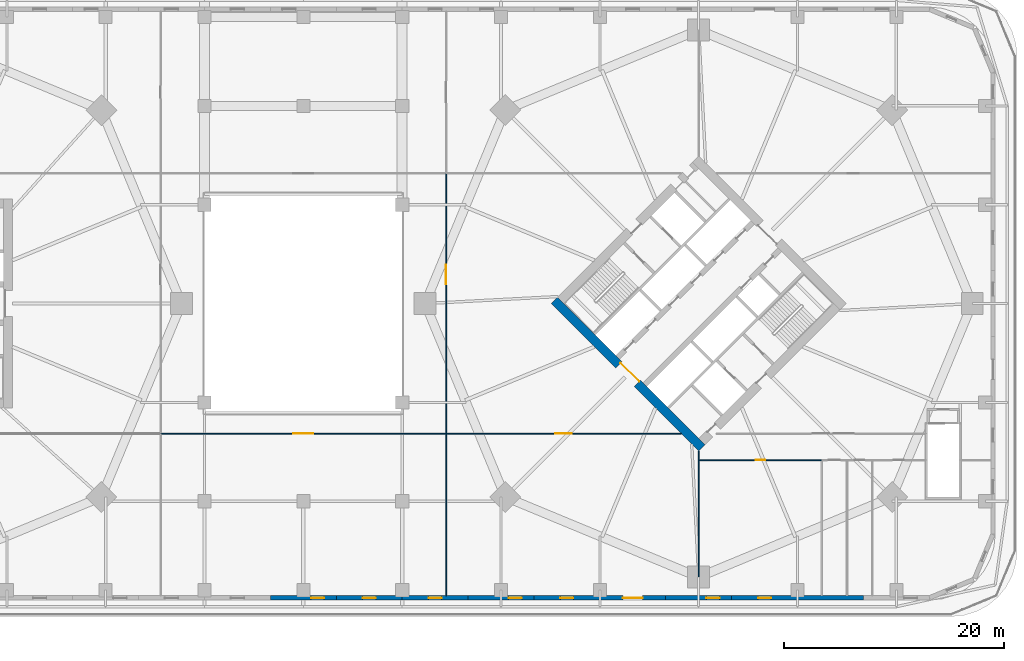
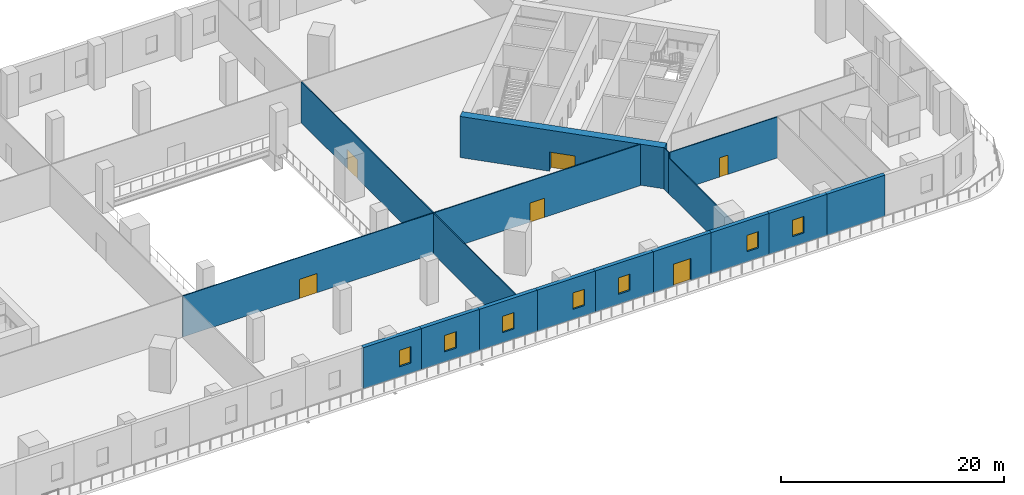
# One storey, part 7 of 16: 17 walls, 7 windows, 6 doors, 13 openings.
"""IFC4 building model written with IfcOpenShell, lengths in metres."""

import ifcopenshell
import ifcopenshell.guid

model = None  # the IFC model being written
_history = None  # IfcOwnerHistory: only IFC2X3 demands one
_inside = {}  # id of a spatial element -> (the spatial element, [elements in it])
_under = {}  # id of a project, library or spatial element -> (it, [spatial elements below it])
_declared = {}  # id of a project -> (the project, [libraries it declares])
_typed = {}  # id of a type object -> (the type object, [elements of that type])
_made_of = {}  # id of a material, layer set ... -> (it, [elements and type objects made of it])


def new_model(schema):
    """Start an empty IFC model of exactly this schema.

    Asked for "IFC4X3", IfcOpenShell would pick the latest addendum, in which some entities
    have other attributes; the version numbers below select the first issue.
    IFC2X3 requires an IfcOwnerHistory on every rooted entity: one is made here for all.
    """
    global model, _history
    if schema == "IFC4X3":
        model = ifcopenshell.file(schema_version=(4, 3, 0, 0))
    else:
        model = ifcopenshell.file(schema=schema)
    _inside.clear()
    _under.clear()
    _declared.clear()
    _typed.clear()
    _made_of.clear()
    _history = None
    if model.schema == "IFC2X3":
        org = make("IfcOrganization", Name="unknown")
        user = make(
            "IfcPersonAndOrganization",
            ThePerson=make("IfcPerson", FamilyName="unknown"),
            TheOrganization=org,
        )
        app = make(
            "IfcApplication",
            ApplicationDeveloper=org,
            Version="unknown",
            ApplicationFullName="unknown",
            ApplicationIdentifier="unknown",
        )
        _history = make(
            "IfcOwnerHistory",
            OwningUser=user,
            OwningApplication=app,
            ChangeAction="ADDED",
            CreationDate=0,
        )
    return model


def make(cls, **values):
    """One entity of the class cls with the attributes given. An attribute that is None is left unset."""
    return model.create_entity(
        cls, **{name: value for name, value in values.items() if value is not None}
    )


def rooted(cls, **values):
    """An entity with a GlobalId (a new one), such as an element, a storey or a relation."""
    return make(cls, GlobalId=ifcopenshell.guid.new(), OwnerHistory=_history, **values)


def si_unit(unit_type, name, prefix=None):
    """IfcSIUnit, for example si_unit("LENGTHUNIT", "METRE", prefix="MILLI")."""
    return make("IfcSIUnit", UnitType=unit_type, Prefix=prefix, Name=name)


def assignment(units):
    """IfcUnitAssignment: the units of a project."""
    return None if units is None else make("IfcUnitAssignment", Units=units)


def point(xyz):
    """IfcCartesianPoint."""
    return None if xyz is None else make("IfcCartesianPoint", Coordinates=xyz)


def direction(xyz):
    """IfcDirection."""
    return None if xyz is None else make("IfcDirection", DirectionRatios=xyz)


def frame(location, z_axis=None, x_axis=None):
    """IfcAxis2Placement3D, a coordinate frame: its origin and axes. An axis left out is left unset."""
    return make(
        "IfcAxis2Placement3D",
        Location=point(location),
        Axis=direction(z_axis),
        RefDirection=direction(x_axis),
    )


def frame_2d(location, x_axis=None):
    """IfcAxis2Placement2D, a coordinate frame in the plane: its origin and x axis."""
    return make(
        "IfcAxis2Placement2D", Location=point(location), RefDirection=direction(x_axis)
    )


def origin():
    """The frame at (0, 0, 0) with its axes left unset."""
    return frame((0.0, 0.0, 0.0))


def place(relative_to, where):
    """IfcLocalPlacement: puts the frame where relative to a parent placement (None: the world)."""
    return make(
        "IfcLocalPlacement", PlacementRelTo=relative_to, RelativePlacement=where
    )


def context(
    kind, dimensions, precision=None, world=None, true_north=None, identifier=None
):
    """IfcGeometricRepresentationContext, for example the 3D "Model" context."""
    return make(
        "IfcGeometricRepresentationContext",
        ContextIdentifier=identifier,
        ContextType=kind,
        CoordinateSpaceDimension=dimensions,
        Precision=precision,
        WorldCoordinateSystem=world,
        TrueNorth=true_north,
    )


def subcontext(parent, identifier, kind, view, scale=None):
    """IfcGeometricRepresentationSubContext, for example "Body" below "Model"."""
    return make(
        "IfcGeometricRepresentationSubContext",
        ContextIdentifier=identifier,
        ContextType=kind,
        ParentContext=parent,
        TargetScale=scale,
        TargetView=view,
    )


def project(units=None, contexts=None):
    """IfcProject with its units and contexts."""
    return rooted(
        "IfcProject",
        Name="project",
        RepresentationContexts=contexts,
        UnitsInContext=assignment(units),
    )


def spatial(cls, under=None, at=None, **own):
    """A site, building, storey or space (cls), placed at a placement, below another one or the project."""
    s = rooted(cls, ObjectPlacement=at, **own)
    if under is not None:
        _under.setdefault(under.id(), (under, []))[1].append(s)
    return s


def profile(cls, at=None, kind="AREA", **sizes):
    """A parametric profile (cls). Its sizes go by their IFC names, for example OverallWidth=200.0."""
    return make(cls, ProfileType=kind, Position=at, **sizes)


def rectangle(**sizes):
    """IfcRectangleProfileDef."""
    return profile("IfcRectangleProfileDef", **sizes)


def extrude(swept, where, along, depth):
    """IfcExtrudedAreaSolid: the profile swept, set in the frame where, extruded along a direction by depth."""
    return make(
        "IfcExtrudedAreaSolid",
        SweptArea=swept,
        Position=where,
        ExtrudedDirection=direction(along),
        Depth=depth,
    )


def shape(context_of_items, identifier, shape_type, items):
    """IfcShapeRepresentation: the items that make up one representation, for example the "Body"."""
    return make(
        "IfcShapeRepresentation",
        ContextOfItems=context_of_items,
        RepresentationIdentifier=identifier,
        RepresentationType=shape_type,
        Items=items,
    )


def material(Name=None, Category=None):
    """IfcMaterial."""
    return make("IfcMaterial", Name=Name, Category=Category)


def layer(
    of_material, thickness, ventilated=None, Name=None, Category=None, Priority=None
):
    """IfcMaterialLayer: one layer of a wall or slab, of a material (None: an air gap)."""
    return make(
        "IfcMaterialLayer",
        Material=of_material,
        LayerThickness=thickness,
        IsVentilated=ventilated,
        Name=Name,
        Category=Category,
        Priority=Priority,
    )


def layer_set(layers, Name=None):
    """IfcMaterialLayerSet."""
    return make("IfcMaterialLayerSet", MaterialLayers=layers, LayerSetName=Name)


def made_of(thing, what):
    """Note that an element or type object is made of a material, layer set ...; save() writes the relation."""
    if what is not None:
        _made_of.setdefault(what.id(), (what, []))[1].append(thing)
    return thing


def type_object(cls, material=None, **own):
    """A type object (cls), such as IfcWallType, which elements share."""
    return made_of(rooted(cls, **own), material)


def element(
    cls,
    number,
    at=None,
    inside=None,
    cuts=None,
    type_object=None,
    material=None,
    context=None,
    identifier="Body",
    shape_type=None,
    held_by="IfcProductDefinitionShape",
    body=None,
    shapes=None,
    **own,
):
    """One element of the class cls, such as IfcWall. Its Tag is "e" and its number.

    at: its placement. inside: the storey or other place that contains it. cuts: it is an
    opening in that element (IfcRelVoidsElement). A single representation is given by context,
    identifier, shape_type and body (its items); several are given by shapes. held_by: the class
    of the entity that holds the representations. save() writes the other relations.
    """
    e = rooted(cls, Tag="e%d" % number, ObjectPlacement=at, **own)
    if body is not None:
        shapes = [shape(context, identifier, shape_type, body)]
    if shapes is not None:
        e.Representation = make(held_by, Representations=shapes)
    if inside is not None:
        _inside.setdefault(inside.id(), (inside, []))[1].append(e)
    if cuts is not None:
        rooted(
            "IfcRelVoidsElement", RelatingBuildingElement=cuts, RelatedOpeningElement=e
        )
    if type_object is not None:
        _typed.setdefault(type_object.id(), (type_object, []))[1].append(e)
    return made_of(e, material)


def fill(opening, filler):
    """IfcRelFillsElement: the door or window that sits in an opening."""
    return rooted(
        "IfcRelFillsElement",
        RelatingOpeningElement=opening,
        RelatedBuildingElement=filler,
    )


def aggregate(whole, parts):
    """IfcRelAggregates: a whole, such as a stair, and the parts it consists of."""
    return rooted("IfcRelAggregates", RelatingObject=whole, RelatedObjects=parts)


def save(model, path):
    """Write the relations noted so far, then the file.

    IfcRelAggregates (storeys below a building ...), IfcRelContainedInSpatialStructure (elements
    in a storey), IfcRelDefinesByType, IfcRelAssociatesMaterial and IfcRelDeclares: one each for
    every whole, place, type object, material and project.
    """
    for whole, parts in _under.values():
        aggregate(whole, parts)
    for where, things in _inside.values():
        rooted(
            "IfcRelContainedInSpatialStructure",
            RelatedElements=things,
            RelatingStructure=where,
        )
    for kind, things in _typed.values():
        rooted("IfcRelDefinesByType", RelatedObjects=things, RelatingType=kind)
    for what, things in _made_of.values():
        rooted("IfcRelAssociatesMaterial", RelatedObjects=things, RelatingMaterial=what)
    for by, libraries in _declared.values():
        rooted("IfcRelDeclares", RelatingContext=by, RelatedDefinitions=libraries)
    model.write(path)


model = new_model("IFC4")

# Units and contexts
model_context = context("Model", 3, precision=1e-05, world=origin(), true_north=direction((0.0, 1.0)))
body_context = subcontext(model_context, "Body", "Model", "MODEL_VIEW")
ifc_project = project(units=[si_unit("LENGTHUNIT", "METRE"), si_unit("AREAUNIT", "SQUARE_METRE"), si_unit("VOLUMEUNIT", "CUBIC_METRE"), si_unit("PLANEANGLEUNIT", "RADIAN"), si_unit("MASSUNIT", "GRAM", prefix="KILO")], contexts=[model_context])

# Site, building, storey
site_placement = place(None, origin())
site = spatial("IfcSite", under=ifc_project, at=site_placement, CompositionType="ELEMENT")
building_placement = place(site_placement, origin())
building = spatial("IfcBuilding", under=site, at=building_placement, Name="Ogive Gate Towers", CompositionType="ELEMENT")
storey_placement = place(building_placement, frame((0.0, 0.0, 22.800048828125)))
storey = spatial("IfcBuildingStorey", under=building, at=storey_placement, Name="L04", CompositionType="ELEMENT", Elevation=22.800048828125)

# Wall, opening, door
ifc_material_1 = material(Name="Concrete C60/75", Category="concrete")
ifc_layer_1 = layer(ifc_material_1, 0.800048828125)
ifc_layer_set_1 = layer_set([ifc_layer_1], Name="Core wall 800 mm")
wall_type_1 = type_object("IfcWallType", Name="Core wall 800 mm", PredefinedType="SHEAR", material=ifc_layer_set_1)
wall_1_placement = place(storey_placement, frame((36.28271484375, -13.152099609375, 0.0), z_axis=(0.0, 0.0, 1.0), x_axis=(-0.707106781187, 0.707106781187, 0.0)))
wall_1 = element("IfcWall", 1, at=wall_1_placement, inside=storey, type_object=wall_type_1, Name="T2 L04 Core wall 800 mm", PredefinedType="SHEAR", context=body_context, shape_type="SweptSolid", body=[
    extrude(rectangle(XDim=18.999755859375, YDim=0.800048828125, at=frame_2d((9.5, 0.0))), origin(), (0.0, 0.0, 1.0), 4.5),
])
opening_1_placement = place(wall_1_placement, frame((8.300048828125, 0.0, 0.0)))
opening_1 = element("IfcOpeningElement", 2, at=opening_1_placement, cuts=wall_1, Name="Opening KD-T2-L04-01", PredefinedType="OPENING", context=body_context, shape_type="SweptSolid", body=[
    extrude(rectangle(XDim=2.39990234375, YDim=2.10009765625, at=frame_2d((1.199951171875, 1.050048828125))), frame((0.0, 0.41015625, 0.0), z_axis=(0.0, -1.0, 0.0), x_axis=(1.0, 0.0, 0.0)), (0.0, 0.0, 1.0), 0.820068359375),
])
ifc_material_2 = material(Name="Steel fire door", Category="steel")
door_type_1 = type_object("IfcDoorType", Name="Core double door FD60S 2400 x 2100", OperationType="DOUBLE_DOOR_SINGLE_SWING", PredefinedType="DOOR", material=ifc_material_2)
door_1_placement = place(opening_1_placement, origin())
door_1 = element("IfcDoor", 3, at=door_1_placement, inside=storey, type_object=door_type_1, Name="T2 L04 Core door double", OperationType="DOUBLE_DOOR_SINGLE_SWING", OverallHeight=2.10009765625, OverallWidth=2.39990234375, PredefinedType="DOOR", context=body_context, shape_type="SweptSolid", body=[
    extrude(rectangle(XDim=2.39990234375, YDim=2.10009765625, at=frame_2d((1.199951171875, 1.050048828125))), frame((0.0, -0.22509765625, 0.0), z_axis=(0.0, -1.0, 0.0), x_axis=(1.0, 0.0, 0.0)), (0.0, 0.0, 1.0), 0.050048828125),
])
fill(opening_1, door_1)

ifc_material_3 = material(Name="Gypsum board partition")
ifc_layer_2 = layer(ifc_material_3, 0.10009765625)
ifc_layer_set_2 = layer_set([ifc_layer_2], Name="Partition wall 100")
wall_type_2 = type_object("IfcWallType", Name="Partition wall 100", PredefinedType="PARTITIONING", material=ifc_layer_set_2)
wall_2_placement = place(storey_placement, frame((-13.0, -11.85009765625, 0.0), z_axis=(0.0, 0.0, 1.0), x_axis=(1.0, 0.0, 0.0)))
wall_2 = element("IfcWall", 4, at=wall_2_placement, inside=storey, type_object=wall_type_2, Name="L04 partition 033", PredefinedType="PARTITIONING", context=body_context, shape_type="SweptSolid", body=[
    extrude(rectangle(XDim=26.0, YDim=0.10009765625, at=frame_2d((13.0, 0.0))), origin(), (0.0, 0.0, 1.0), 4.5),
])
opening_2_placement = place(wall_2_placement, frame((12.10009765625, 0.0, 0.0)))
opening_2 = element("IfcOpeningElement", 5, at=opening_2_placement, cuts=wall_2, Name="Opening PO212", PredefinedType="OPENING", context=body_context, shape_type="SweptSolid", body=[
    extrude(rectangle(XDim=1.800048828125, YDim=2.10009765625, at=frame_2d((0.89990234375, 1.050048828125))), frame((0.0, 0.06005859375, 0.0), z_axis=(0.0, -1.0, 0.0), x_axis=(1.0, 0.0, 0.0)), (0.0, 0.0, 1.0), 0.1201171875),
])
ifc_material_4 = material(Name="Timber door", Category="wood")
door_type_2 = type_object("IfcDoorType", Name="Double door 1800 x 2100", OperationType="NOTDEFINED", PredefinedType="DOOR", material=ifc_material_4)
door_2_placement = place(opening_2_placement, origin())
door_2 = element("IfcDoor", 6, at=door_2_placement, inside=storey, type_object=door_type_2, Name="Door PO212", OperationType="DOUBLE_DOOR_DOUBLE_SWING", OverallHeight=2.10009765625, OverallWidth=1.800048828125, PredefinedType="DOOR", context=body_context, shape_type="SweptSolid", body=[
    extrude(rectangle(XDim=1.800048828125, YDim=2.10009765625, at=frame_2d((0.89990234375, 1.050048828125))), frame((0.0, 0.02490234375, 0.0), z_axis=(0.0, -1.0, 0.0), x_axis=(1.0, 0.0, 0.0)), (0.0, 0.0, 1.0), 0.050048828125),
])
fill(opening_2, door_2)

wall_3_placement = place(storey_placement, frame((13.0, -11.800048828125, 0.0), z_axis=(0.0, 0.0, 1.0), x_axis=(0.0, 1.0, 0.0)))
wall_3 = element("IfcWall", 7, at=wall_3_placement, inside=storey, type_object=wall_type_2, Name="L04 partition 034", PredefinedType="PARTITIONING", context=body_context, shape_type="SweptSolid", body=[
    extrude(rectangle(XDim=23.60009765625, YDim=0.10009765625, at=frame_2d((11.800048828125, 0.0))), origin(), (0.0, 0.0, 1.0), 4.5),
])
opening_3_placement = place(wall_3_placement, frame((13.550048828125, 0.0, 0.0)))
opening_3 = element("IfcOpeningElement", 8, at=opening_3_placement, cuts=wall_3, Name="Opening PO213", PredefinedType="OPENING", context=body_context, shape_type="SweptSolid", body=[
    extrude(rectangle(XDim=1.800048828125, YDim=2.10009765625, at=frame_2d((0.89990234375, 1.050048828125))), frame((0.0, 0.06005859375, 0.0), z_axis=(0.0, -1.0, 0.0), x_axis=(1.0, 0.0, 0.0)), (0.0, 0.0, 1.0), 0.1201171875),
])
door_3_placement = place(opening_3_placement, origin())
door_3 = element("IfcDoor", 9, at=door_3_placement, inside=storey, type_object=door_type_2, Name="Door PO213", OperationType="DOUBLE_DOOR_DOUBLE_SWING", OverallHeight=2.10009765625, OverallWidth=1.800048828125, PredefinedType="DOOR", context=body_context, shape_type="SweptSolid", body=[
    extrude(rectangle(XDim=1.800048828125, YDim=2.10009765625, at=frame_2d((0.89990234375, 1.050048828125))), frame((0.0, 0.02490234375, 0.0), z_axis=(0.0, -1.0, 0.0), x_axis=(1.0, 0.0, 0.0)), (0.0, 0.0, 1.0), 0.050048828125),
])
fill(opening_3, door_3)

# Walls
wall_4_placement = place(storey_placement, frame((36.0, -14.25, 0.0), z_axis=(0.0, 0.0, 1.0), x_axis=(0.0, 1.0, 0.0)))
element("IfcWall", 10, at=wall_4_placement, inside=storey, type_object=wall_type_2, Name="L04 partition 037", PredefinedType="PARTITIONING", context=body_context, shape_type="SweptSolid", body=[
    extrude(rectangle(XDim=0.81494140625, YDim=0.10009765625, at=frame_2d((0.407470703125, 0.0))), origin(), (0.0, 0.0, 1.0), 4.5),
])
wall_5_placement = place(storey_placement, frame((36.0, -26.60009765625, 0.0), z_axis=(0.0, 0.0, 1.0), x_axis=(0.0, 1.0, 0.0)))
element("IfcWall", 11, at=wall_5_placement, inside=storey, type_object=wall_type_2, Name="L04 partition 038", PredefinedType="PARTITIONING", context=body_context, shape_type="SweptSolid", body=[
    extrude(rectangle(XDim=12.35009765625, YDim=0.10009765625, at=frame_2d((6.175048828125, 0.0))), origin(), (0.0, 0.0, 1.0), 3.89990234375),
])
wall_6_placement = place(storey_placement, frame((13.0, -26.60009765625, 0.0), z_axis=(0.0, 0.0, 1.0), x_axis=(0.0, 1.0, 0.0)))
element("IfcWall", 12, at=wall_6_placement, inside=storey, type_object=wall_type_2, Name="L04 partition 039", PredefinedType="PARTITIONING", context=body_context, shape_type="SweptSolid", body=[
    extrude(rectangle(XDim=14.7001953125, YDim=0.10009765625, at=frame_2d((7.35009765625, 0.0))), origin(), (0.0, 0.0, 1.0), 4.5),
])

# Wall, opening, door
wall_7_placement = place(storey_placement, frame((13.0, -11.85009765625, 0.0), z_axis=(0.0, 0.0, 1.0), x_axis=(1.0, 0.0, 0.0)))
wall_7 = element("IfcWall", 13, at=wall_7_placement, inside=storey, type_object=wall_type_2, Name="L04 partition 040", PredefinedType="PARTITIONING", context=body_context, shape_type="SweptSolid", body=[
    extrude(rectangle(XDim=21.4150390625, YDim=0.10009765625, at=frame_2d((10.70751953125, 0.0))), origin(), (0.0, 0.0, 1.0), 4.5),
])
opening_4_placement = place(wall_7_placement, frame((9.95751953125, 0.0, 0.0)))
opening_4 = element("IfcOpeningElement", 14, at=opening_4_placement, cuts=wall_7, Name="Opening PO205", PredefinedType="OPENING", context=body_context, shape_type="SweptSolid", body=[
    extrude(rectangle(XDim=1.5, YDim=2.10009765625, at=frame_2d((0.75, 1.050048828125))), frame((0.0, 0.06005859375, 0.0), z_axis=(0.0, -1.0, 0.0), x_axis=(1.0, 0.0, 0.0)), (0.0, 0.0, 1.0), 0.1201171875),
])
door_type_3 = type_object("IfcDoorType", Name="Double door 1500 x 2100", OperationType="NOTDEFINED", PredefinedType="DOOR", material=ifc_material_4)
door_4_placement = place(opening_4_placement, origin())
door_4 = element("IfcDoor", 15, at=door_4_placement, inside=storey, type_object=door_type_3, Name="Door PO205", OperationType="DOUBLE_DOOR_DOUBLE_SWING", OverallHeight=2.10009765625, OverallWidth=1.5, PredefinedType="DOOR", context=body_context, shape_type="SweptSolid", body=[
    extrude(rectangle(XDim=1.5, YDim=2.10009765625, at=frame_2d((0.75, 1.050048828125))), frame((0.0, 0.02490234375, 0.0), z_axis=(0.0, -1.0, 0.0), x_axis=(1.0, 0.0, 0.0)), (0.0, 0.0, 1.0), 0.050048828125),
])
fill(opening_4, door_4)

wall_8_placement = place(storey_placement, frame((36.050048828125, -14.25, 0.0), z_axis=(0.0, 0.0, 1.0), x_axis=(1.0, 0.0, 0.0)))
wall_8 = element("IfcWall", 16, at=wall_8_placement, inside=storey, type_object=wall_type_2, Name="L04 partition 041", PredefinedType="PARTITIONING", context=body_context, shape_type="SweptSolid", body=[
    extrude(rectangle(XDim=11.155029296875, YDim=0.10009765625, at=frame_2d((5.57763671875, 0.0))), origin(), (0.0, 0.0, 1.0), 4.5),
])
opening_5_placement = place(wall_8_placement, frame((5.12744140625, 0.0, 0.0)))
opening_5 = element("IfcOpeningElement", 17, at=opening_5_placement, cuts=wall_8, Name="Opening PO207", PredefinedType="OPENING", context=body_context, shape_type="SweptSolid", body=[
    extrude(rectangle(XDim=0.89990234375, YDim=2.10009765625, at=frame_2d((0.449951171875, 1.050048828125))), frame((0.0, 0.06005859375, 0.0), z_axis=(0.0, -1.0, 0.0), x_axis=(1.0, 0.0, 0.0)), (0.0, 0.0, 1.0), 0.1201171875),
])
door_type_4 = type_object("IfcDoorType", Name="Door 900 x 2100", OperationType="NOTDEFINED", PredefinedType="DOOR", material=ifc_material_4)
door_5_placement = place(opening_5_placement, origin())
door_5 = element("IfcDoor", 18, at=door_5_placement, inside=storey, type_object=door_type_4, Name="Door PO207", OperationType="SINGLE_SWING_LEFT", OverallHeight=2.10009765625, OverallWidth=0.89990234375, PredefinedType="DOOR", context=body_context, shape_type="SweptSolid", body=[
    extrude(rectangle(XDim=0.89990234375, YDim=2.10009765625, at=frame_2d((0.449951171875, 1.050048828125))), frame((0.0, 0.02490234375, 0.0), z_axis=(0.0, -1.0, 0.0), x_axis=(1.0, 0.0, 0.0)), (0.0, 0.0, 1.0), 0.050048828125),
])
fill(opening_5, door_5)

# Wall, opening, window
ifc_material_5 = material(Name="Precast concrete C40/50", Category="concrete")
ifc_layer_3 = layer(ifc_material_5, 0.39990234375)
ifc_layer_set_3 = layer_set([ifc_layer_3], Name="Podium wall 400")
wall_type_3 = type_object("IfcWallType", Name="Podium wall 400", PredefinedType="SOLIDWALL", material=ifc_layer_set_3)
wall_9_placement = place(storey_placement, frame((-3.0, -26.800048828125, 0.0), z_axis=(0.0, 0.0, 1.0), x_axis=(1.0, 0.0, 0.0)))
wall_9 = element("IfcWall", 19, at=wall_9_placement, inside=storey, type_object=wall_type_3, Name="Podium wall", PredefinedType="SOLIDWALL", context=body_context, shape_type="SweptSolid", body=[
    extrude(rectangle(XDim=6.0, YDim=0.39990234375, at=frame_2d((3.0, 0.0))), origin(), (0.0, 0.0, 1.0), 4.5),
])
opening_6_placement = place(wall_9_placement, frame((3.699951171875, 0.0, 1.10009765625)))
opening_6 = element("IfcOpeningElement", 20, at=opening_6_placement, cuts=wall_9, Name="Opening WN3", PredefinedType="OPENING", context=body_context, shape_type="SweptSolid", body=[
    extrude(rectangle(XDim=1.199951171875, YDim=1.800048828125, at=frame_2d((0.60009765625, 0.89990234375))), frame((0.0, 0.2099609375, 0.0), z_axis=(0.0, -1.0, 0.0), x_axis=(1.0, 0.0, 0.0)), (0.0, 0.0, 1.0), 0.419921875),
])
ifc_material_6 = material(Name="Clear glass", Category="glass")
window_type = type_object("IfcWindowType", Name="Podium window 1200 x 1800", PartitioningType="SINGLE_PANEL", PredefinedType="WINDOW", material=ifc_material_6)
window_1_placement = place(opening_6_placement, origin())
window_1 = element("IfcWindow", 21, at=window_1_placement, inside=storey, type_object=window_type, Name="Podium window", OverallHeight=1.800048828125, OverallWidth=1.199951171875, PartitioningType="SINGLE_PANEL", PredefinedType="WINDOW", context=body_context, shape_type="SweptSolid", body=[
    extrude(rectangle(XDim=1.199951171875, YDim=1.800048828125, at=frame_2d((0.60009765625, 0.89990234375))), frame((0.0, 0.030029296875, 0.0), z_axis=(0.0, -1.0, 0.0), x_axis=(1.0, 0.0, 0.0)), (0.0, 0.0, 1.0), 0.06005859375),
])
fill(opening_6, window_1)

wall_10_placement = place(storey_placement, frame((3.0, -26.800048828125, 0.0), z_axis=(0.0, 0.0, 1.0), x_axis=(1.0, 0.0, 0.0)))
wall_10 = element("IfcWall", 22, at=wall_10_placement, inside=storey, type_object=wall_type_3, Name="Podium wall", PredefinedType="SOLIDWALL", context=body_context, shape_type="SweptSolid", body=[
    extrude(rectangle(XDim=6.0, YDim=0.39990234375, at=frame_2d((3.0, 0.0))), origin(), (0.0, 0.0, 1.0), 4.5),
])
opening_7_placement = place(wall_10_placement, frame((2.39990234375, 0.0, 1.10009765625)))
opening_7 = element("IfcOpeningElement", 23, at=opening_7_placement, cuts=wall_10, Name="Opening WN3", PredefinedType="OPENING", context=body_context, shape_type="SweptSolid", body=[
    extrude(rectangle(XDim=1.199951171875, YDim=1.800048828125, at=frame_2d((0.60009765625, 0.89990234375))), frame((0.0, 0.2099609375, 0.0), z_axis=(0.0, -1.0, 0.0), x_axis=(1.0, 0.0, 0.0)), (0.0, 0.0, 1.0), 0.419921875),
])
window_2_placement = place(opening_7_placement, origin())
window_2 = element("IfcWindow", 24, at=window_2_placement, inside=storey, type_object=window_type, Name="Podium window", OverallHeight=1.800048828125, OverallWidth=1.199951171875, PartitioningType="SINGLE_PANEL", PredefinedType="WINDOW", context=body_context, shape_type="SweptSolid", body=[
    extrude(rectangle(XDim=1.199951171875, YDim=1.800048828125, at=frame_2d((0.60009765625, 0.89990234375))), frame((0.0, 0.030029296875, 0.0), z_axis=(0.0, -1.0, 0.0), x_axis=(1.0, 0.0, 0.0)), (0.0, 0.0, 1.0), 0.06005859375),
])
fill(opening_7, window_2)

wall_11_placement = place(storey_placement, frame((9.0, -26.800048828125, 0.0), z_axis=(0.0, 0.0, 1.0), x_axis=(1.0, 0.0, 0.0)))
wall_11 = element("IfcWall", 25, at=wall_11_placement, inside=storey, type_object=wall_type_3, Name="Podium wall", PredefinedType="SOLIDWALL", context=body_context, shape_type="SweptSolid", body=[
    extrude(rectangle(XDim=6.0, YDim=0.39990234375, at=frame_2d((3.0, 0.0))), origin(), (0.0, 0.0, 1.0), 4.5),
])
opening_8_placement = place(wall_11_placement, frame((2.39990234375, 0.0, 1.10009765625)))
opening_8 = element("IfcOpeningElement", 26, at=opening_8_placement, cuts=wall_11, Name="Opening WN3", PredefinedType="OPENING", context=body_context, shape_type="SweptSolid", body=[
    extrude(rectangle(XDim=1.199951171875, YDim=1.800048828125, at=frame_2d((0.60009765625, 0.89990234375))), frame((0.0, 0.2099609375, 0.0), z_axis=(0.0, -1.0, 0.0), x_axis=(1.0, 0.0, 0.0)), (0.0, 0.0, 1.0), 0.419921875),
])
window_3_placement = place(opening_8_placement, origin())
window_3 = element("IfcWindow", 27, at=window_3_placement, inside=storey, type_object=window_type, Name="Podium window", OverallHeight=1.800048828125, OverallWidth=1.199951171875, PartitioningType="SINGLE_PANEL", PredefinedType="WINDOW", context=body_context, shape_type="SweptSolid", body=[
    extrude(rectangle(XDim=1.199951171875, YDim=1.800048828125, at=frame_2d((0.60009765625, 0.89990234375))), frame((0.0, 0.030029296875, 0.0), z_axis=(0.0, -1.0, 0.0), x_axis=(1.0, 0.0, 0.0)), (0.0, 0.0, 1.0), 0.06005859375),
])
fill(opening_8, window_3)

wall_12_placement = place(storey_placement, frame((15.0, -26.800048828125, 0.0), z_axis=(0.0, 0.0, 1.0), x_axis=(1.0, 0.0, 0.0)))
wall_12 = element("IfcWall", 28, at=wall_12_placement, inside=storey, type_object=wall_type_3, Name="Podium wall", PredefinedType="SOLIDWALL", context=body_context, shape_type="SweptSolid", body=[
    extrude(rectangle(XDim=6.0, YDim=0.39990234375, at=frame_2d((3.0, 0.0))), origin(), (0.0, 0.0, 1.0), 4.5),
])
opening_9_placement = place(wall_12_placement, frame((3.699951171875, 0.0, 1.10009765625)))
opening_9 = element("IfcOpeningElement", 29, at=opening_9_placement, cuts=wall_12, Name="Opening WN3", PredefinedType="OPENING", context=body_context, shape_type="SweptSolid", body=[
    extrude(rectangle(XDim=1.199951171875, YDim=1.800048828125, at=frame_2d((0.60009765625, 0.89990234375))), frame((0.0, 0.2099609375, 0.0), z_axis=(0.0, -1.0, 0.0), x_axis=(1.0, 0.0, 0.0)), (0.0, 0.0, 1.0), 0.419921875),
])
window_4_placement = place(opening_9_placement, origin())
window_4 = element("IfcWindow", 30, at=window_4_placement, inside=storey, type_object=window_type, Name="Podium window", OverallHeight=1.800048828125, OverallWidth=1.199951171875, PartitioningType="SINGLE_PANEL", PredefinedType="WINDOW", context=body_context, shape_type="SweptSolid", body=[
    extrude(rectangle(XDim=1.199951171875, YDim=1.800048828125, at=frame_2d((0.60009765625, 0.89990234375))), frame((0.0, 0.030029296875, 0.0), z_axis=(0.0, -1.0, 0.0), x_axis=(1.0, 0.0, 0.0)), (0.0, 0.0, 1.0), 0.06005859375),
])
fill(opening_9, window_4)

wall_13_placement = place(storey_placement, frame((21.0, -26.800048828125, 0.0), z_axis=(0.0, 0.0, 1.0), x_axis=(1.0, 0.0, 0.0)))
wall_13 = element("IfcWall", 31, at=wall_13_placement, inside=storey, type_object=wall_type_3, Name="Podium wall", PredefinedType="SOLIDWALL", context=body_context, shape_type="SweptSolid", body=[
    extrude(rectangle(XDim=6.0, YDim=0.39990234375, at=frame_2d((3.0, 0.0))), origin(), (0.0, 0.0, 1.0), 4.5),
])
opening_10_placement = place(wall_13_placement, frame((2.39990234375, 0.0, 1.10009765625)))
opening_10 = element("IfcOpeningElement", 32, at=opening_10_placement, cuts=wall_13, Name="Opening WN3", PredefinedType="OPENING", context=body_context, shape_type="SweptSolid", body=[
    extrude(rectangle(XDim=1.199951171875, YDim=1.800048828125, at=frame_2d((0.60009765625, 0.89990234375))), frame((0.0, 0.2099609375, 0.0), z_axis=(0.0, -1.0, 0.0), x_axis=(1.0, 0.0, 0.0)), (0.0, 0.0, 1.0), 0.419921875),
])
window_5_placement = place(opening_10_placement, origin())
window_5 = element("IfcWindow", 33, at=window_5_placement, inside=storey, type_object=window_type, Name="Podium window", OverallHeight=1.800048828125, OverallWidth=1.199951171875, PartitioningType="SINGLE_PANEL", PredefinedType="WINDOW", context=body_context, shape_type="SweptSolid", body=[
    extrude(rectangle(XDim=1.199951171875, YDim=1.800048828125, at=frame_2d((0.60009765625, 0.89990234375))), frame((0.0, 0.030029296875, 0.0), z_axis=(0.0, -1.0, 0.0), x_axis=(1.0, 0.0, 0.0)), (0.0, 0.0, 1.0), 0.06005859375),
])
fill(opening_10, window_5)

# Wall, opening, door
wall_14_placement = place(storey_placement, frame((27.0, -26.800048828125, 0.0), z_axis=(0.0, 0.0, 1.0), x_axis=(1.0, 0.0, 0.0)))
wall_14 = element("IfcWall", 34, at=wall_14_placement, inside=storey, type_object=wall_type_3, Name="Podium wall", PredefinedType="SOLIDWALL", context=body_context, shape_type="SweptSolid", body=[
    extrude(rectangle(XDim=6.0, YDim=0.39990234375, at=frame_2d((3.0, 0.0))), origin(), (0.0, 0.0, 1.0), 4.5),
])
opening_11_placement = place(wall_14_placement, frame((2.10009765625, 0.0, 0.0)))
opening_11 = element("IfcOpeningElement", 35, at=opening_11_placement, cuts=wall_14, Name="Opening ED3-L04-06", PredefinedType="OPENING", context=body_context, shape_type="SweptSolid", body=[
    extrude(rectangle(XDim=1.800048828125, YDim=2.39990234375, at=frame_2d((0.89990234375, 1.199951171875))), frame((0.0, 0.2099609375, 0.0), z_axis=(0.0, -1.0, 0.0), x_axis=(1.0, 0.0, 0.0)), (0.0, 0.0, 1.0), 0.419921875),
])
ifc_material_7 = material(Name="Pale metal aluminium", Category="aluminium")
door_type_5 = type_object("IfcDoorType", Name="Terrace door 1800 x 2400", OperationType="DOUBLE_DOOR_SINGLE_SWING", PredefinedType="DOOR", material=ifc_material_7)
door_6_placement = place(opening_11_placement, origin())
door_6 = element("IfcDoor", 36, at=door_6_placement, inside=storey, type_object=door_type_5, Name="Exterior door", OperationType="SINGLE_SWING_LEFT", OverallHeight=2.39990234375, OverallWidth=1.800048828125, PredefinedType="DOOR", context=body_context, shape_type="SweptSolid", body=[
    extrude(rectangle(XDim=1.800048828125, YDim=2.39990234375, at=frame_2d((0.89990234375, 1.199951171875))), frame((0.0, 0.02490234375, 0.0), z_axis=(0.0, -1.0, 0.0), x_axis=(1.0, 0.0, 0.0)), (0.0, 0.0, 1.0), 0.050048828125),
])
fill(opening_11, door_6)

# Wall, opening, window
wall_15_placement = place(storey_placement, frame((33.0, -26.800048828125, 0.0), z_axis=(0.0, 0.0, 1.0), x_axis=(1.0, 0.0, 0.0)))
wall_15 = element("IfcWall", 37, at=wall_15_placement, inside=storey, type_object=wall_type_3, Name="Podium wall", PredefinedType="SOLIDWALL", context=body_context, shape_type="SweptSolid", body=[
    extrude(rectangle(XDim=6.0, YDim=0.39990234375, at=frame_2d((3.0, 0.0))), origin(), (0.0, 0.0, 1.0), 4.5),
])
opening_12_placement = place(wall_15_placement, frame((3.699951171875, 0.0, 1.10009765625)))
opening_12 = element("IfcOpeningElement", 38, at=opening_12_placement, cuts=wall_15, Name="Opening WN3", PredefinedType="OPENING", context=body_context, shape_type="SweptSolid", body=[
    extrude(rectangle(XDim=1.199951171875, YDim=1.800048828125, at=frame_2d((0.60009765625, 0.89990234375))), frame((0.0, 0.2099609375, 0.0), z_axis=(0.0, -1.0, 0.0), x_axis=(1.0, 0.0, 0.0)), (0.0, 0.0, 1.0), 0.419921875),
])
window_6_placement = place(opening_12_placement, origin())
window_6 = element("IfcWindow", 39, at=window_6_placement, inside=storey, type_object=window_type, Name="Podium window", OverallHeight=1.800048828125, OverallWidth=1.199951171875, PartitioningType="SINGLE_PANEL", PredefinedType="WINDOW", context=body_context, shape_type="SweptSolid", body=[
    extrude(rectangle(XDim=1.199951171875, YDim=1.800048828125, at=frame_2d((0.60009765625, 0.89990234375))), frame((0.0, 0.030029296875, 0.0), z_axis=(0.0, -1.0, 0.0), x_axis=(1.0, 0.0, 0.0)), (0.0, 0.0, 1.0), 0.06005859375),
])
fill(opening_12, window_6)

wall_16_placement = place(storey_placement, frame((39.0, -26.800048828125, 0.0), z_axis=(0.0, 0.0, 1.0), x_axis=(1.0, 0.0, 0.0)))
wall_16 = element("IfcWall", 40, at=wall_16_placement, inside=storey, type_object=wall_type_3, Name="Podium wall", PredefinedType="SOLIDWALL", context=body_context, shape_type="SweptSolid", body=[
    extrude(rectangle(XDim=6.0, YDim=0.39990234375, at=frame_2d((3.0, 0.0))), origin(), (0.0, 0.0, 1.0), 4.5),
])
opening_13_placement = place(wall_16_placement, frame((2.39990234375, 0.0, 1.10009765625)))
opening_13 = element("IfcOpeningElement", 41, at=opening_13_placement, cuts=wall_16, Name="Opening WN3", PredefinedType="OPENING", context=body_context, shape_type="SweptSolid", body=[
    extrude(rectangle(XDim=1.199951171875, YDim=1.800048828125, at=frame_2d((0.60009765625, 0.89990234375))), frame((0.0, 0.2099609375, 0.0), z_axis=(0.0, -1.0, 0.0), x_axis=(1.0, 0.0, 0.0)), (0.0, 0.0, 1.0), 0.419921875),
])
window_7_placement = place(opening_13_placement, origin())
window_7 = element("IfcWindow", 42, at=window_7_placement, inside=storey, type_object=window_type, Name="Podium window", OverallHeight=1.800048828125, OverallWidth=1.199951171875, PartitioningType="SINGLE_PANEL", PredefinedType="WINDOW", context=body_context, shape_type="SweptSolid", body=[
    extrude(rectangle(XDim=1.199951171875, YDim=1.800048828125, at=frame_2d((0.60009765625, 0.89990234375))), frame((0.0, 0.030029296875, 0.0), z_axis=(0.0, -1.0, 0.0), x_axis=(1.0, 0.0, 0.0)), (0.0, 0.0, 1.0), 0.06005859375),
])
fill(opening_13, window_7)

# Wall
wall_17_placement = place(storey_placement, frame((45.0, -26.800048828125, 0.0), z_axis=(0.0, 0.0, 1.0), x_axis=(1.0, 0.0, 0.0)))
element("IfcWall", 43, at=wall_17_placement, inside=storey, type_object=wall_type_3, Name="Podium wall", PredefinedType="SOLIDWALL", context=body_context, shape_type="SweptSolid", body=[
    extrude(rectangle(XDim=6.0, YDim=0.39990234375, at=frame_2d((3.0, 0.0))), origin(), (0.0, 0.0, 1.0), 4.5),
])

save(model, "model.ifc")
